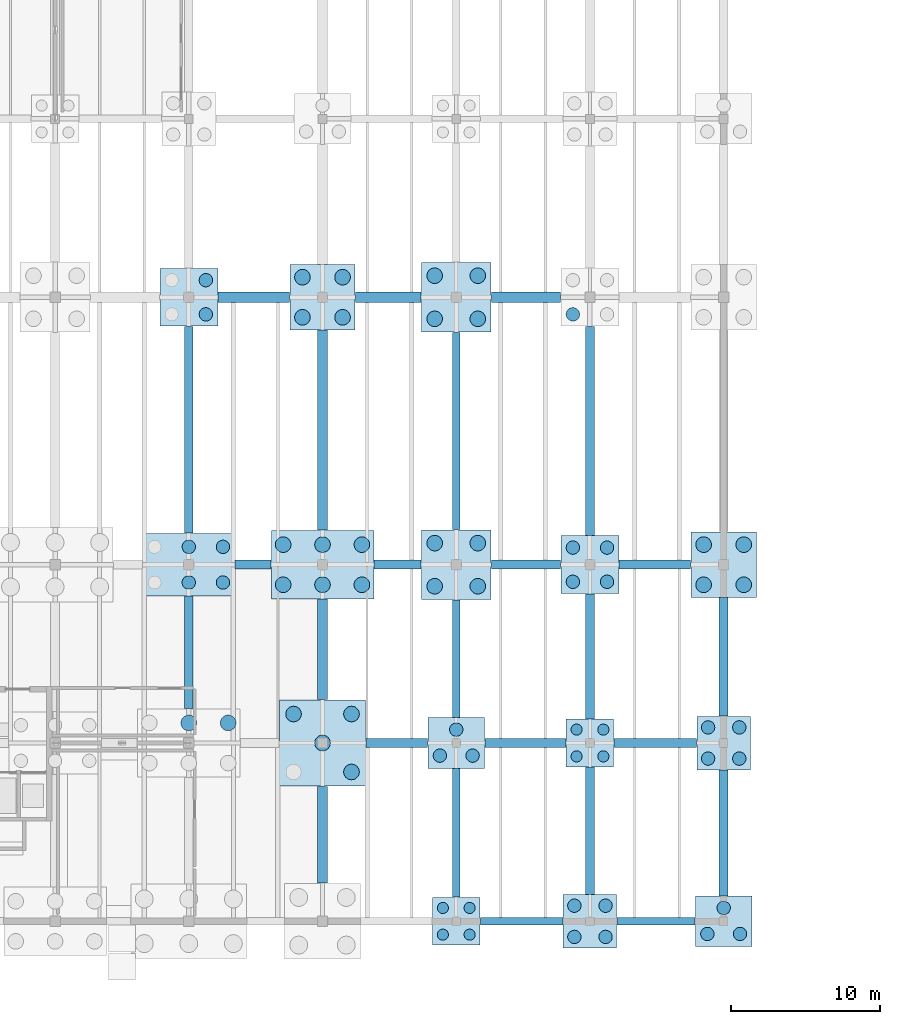
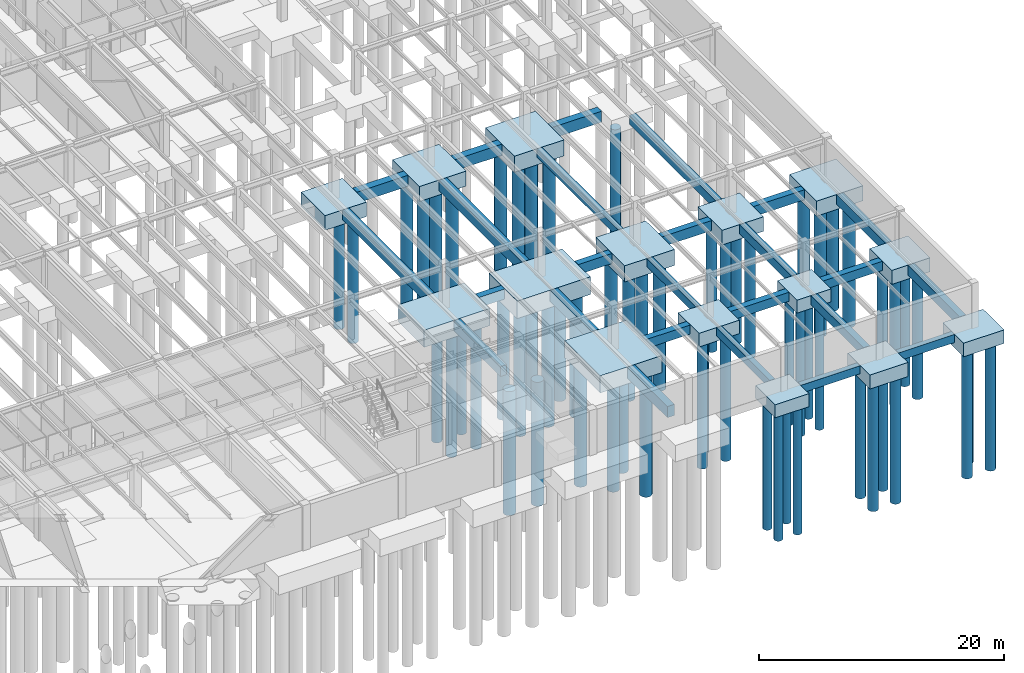
# One storey, part 10 of 40: 61 piles, 40 footings.
"""IFC4 building model written with IfcOpenShell, lengths in metres."""

from ifc_helpers import new_model, si_unit, direction, frame, origin, origin_2d, place, context, subcontext, project, spatial, polyline, rectangle, circle, outline, extrude, material, material_profile, profile_set, type_object, element, save


model = new_model("IFC4")

# Units and contexts
model_context = context("Model", 3, precision=1e-05, world=origin(), true_north=direction((0.0, 1.0)))
body_context = subcontext(model_context, "Body", "Model", "MODEL_VIEW")
ifc_project = project(units=[si_unit("LENGTHUNIT", "METRE"), si_unit("AREAUNIT", "SQUARE_METRE"), si_unit("VOLUMEUNIT", "CUBIC_METRE"), si_unit("PLANEANGLEUNIT", "RADIAN"), si_unit("MASSUNIT", "GRAM", prefix="KILO")], contexts=[model_context])

# Site, building, storey
site_placement = place(None, origin())
site = spatial("IfcSite", under=ifc_project, at=site_placement, CompositionType="ELEMENT")
building_placement = place(site_placement, origin())
building = spatial("IfcBuilding", under=site, at=building_placement, Name="Montelvaro Courts of Justice", CompositionType="ELEMENT")
storey_placement = place(building_placement, frame((0.0, 0.0, -4.5)))
storey = spatial("IfcBuildingStorey", under=building, at=storey_placement, Name="B01", CompositionType="ELEMENT", Elevation=-4.5)

# Piles
ifc_material = material(Name="Concrete C35/45", Category="concrete")
ifc_material_profile_1 = material_profile(ifc_material, circle(Radius=0.52490234375, at=origin_2d()), Name="BORED PILE D1050")
ifc_profile_set_1 = profile_set([ifc_material_profile_1], Name="Concrete C35/45")
pile_type_1 = type_object("IfcPileType", Name="BoredPile_1050", PredefinedType="BORED", material=ifc_profile_set_1)
for number, where, z_axis, x_axis, name in (
    (1, (126.0, 13.35009765625, -1.64990234375), (0.0, 0.0, -1.0), (1.0, 0.0, 0.0), "Bored Pile BP-03 15/B-5"),
    (2, (128.64990234375, 13.35009765625, -1.64990234375), (0.0, 0.0, -1.0), (1.0, 0.0, 0.0), "Bored Pile BP-03 15/B-6"),
):
    element("IfcPile", number, at=place(storey_placement, frame(where, z_axis=z_axis, x_axis=x_axis)), inside=storey, type_object=pile_type_1, Name=name, PredefinedType="BORED", context=body_context, shape_type="SweptSolid", body=[
        extrude(circle(Radius=0.52490234375, at=origin_2d()), origin(), (0.0, 0.0, 1.0), 12.35009765625),
    ])
for number, where, z_axis, x_axis, name in (
    (3, (136.949951171875, 10.050048828125, -1.60009765625), (0.0, 0.0, -1.0), (1.0, 0.0, 0.0), "Bored Pile BP-03 16/B-2"),
    (4, (135.0, 12.0, -1.60009765625), (0.0, 0.0, -1.0), (1.0, 0.0, 0.0), "Bored Pile BP-03 16/B-3"),
    (5, (133.050048828125, 13.949951171875, -1.60009765625), (0.0, 0.0, -1.0), (1.0, 0.0, 0.0), "Bored Pile BP-03 16/B-4"),
    (6, (136.949951171875, 13.949951171875, -1.60009765625), (0.0, 0.0, -1.0), (1.0, 0.0, 0.0), "Bored Pile BP-03 16/B-5"),
):
    element("IfcPile", number, at=place(storey_placement, frame(where, z_axis=z_axis, x_axis=x_axis)), inside=storey, type_object=pile_type_1, Name=name, PredefinedType="BORED", context=body_context, shape_type="SweptSolid", body=[
        extrude(circle(Radius=0.52490234375, at=origin_2d()), origin(), (0.0, 0.0, 1.0), 12.39990234375),
    ])
for number, where, z_axis, x_axis, name in (
    (7, (132.35009765625, 22.64990234375, -1.64990234375), (0.0, 0.0, -1.0), (1.0, 0.0, 0.0), "Bored Pile BP-03 16/C-1"),
    (8, (135.0, 22.64990234375, -1.64990234375), (0.0, 0.0, -1.0), (1.0, 0.0, 0.0), "Bored Pile BP-03 16/C-2"),
    (9, (137.64990234375, 22.64990234375, -1.64990234375), (0.0, 0.0, -1.0), (1.0, 0.0, 0.0), "Bored Pile BP-03 16/C-3"),
    (10, (132.35009765625, 25.35009765625, -1.64990234375), (0.0, 0.0, -1.0), (1.0, 0.0, 0.0), "Bored Pile BP-03 16/C-4"),
    (11, (135.0, 25.35009765625, -1.64990234375), (0.0, 0.0, -1.0), (1.0, 0.0, 0.0), "Bored Pile BP-03 16/C-5"),
    (12, (137.64990234375, 25.35009765625, -1.64990234375), (0.0, 0.0, -1.0), (1.0, 0.0, 0.0), "Bored Pile BP-03 16/C-6"),
):
    element("IfcPile", number, at=place(storey_placement, frame(where, z_axis=z_axis, x_axis=x_axis)), inside=storey, type_object=pile_type_1, Name=name, PredefinedType="BORED", context=body_context, shape_type="SweptSolid", body=[
        extrude(circle(Radius=0.52490234375, at=origin_2d()), origin(), (0.0, 0.0, 1.0), 12.35009765625),
    ])
for number, where, z_axis, x_axis, name in (
    (13, (133.64990234375, 40.64990234375, -1.39990234375), (0.0, 0.0, -1.0), (1.0, 0.0, 0.0), "Bored Pile BP-03 16/D-1"),
    (14, (136.35009765625, 40.64990234375, -1.39990234375), (0.0, 0.0, -1.0), (1.0, 0.0, 0.0), "Bored Pile BP-03 16/D-2"),
    (15, (133.64990234375, 43.35009765625, -1.39990234375), (0.0, 0.0, -1.0), (1.0, 0.0, 0.0), "Bored Pile BP-03 16/D-3"),
    (16, (136.35009765625, 43.35009765625, -1.39990234375), (0.0, 0.0, -1.0), (1.0, 0.0, 0.0), "Bored Pile BP-03 16/D-4"),
):
    element("IfcPile", number, at=place(storey_placement, frame(where, z_axis=z_axis, x_axis=x_axis)), inside=storey, type_object=pile_type_1, Name=name, PredefinedType="BORED", context=body_context, shape_type="SweptSolid", body=[
        extrude(circle(Radius=0.52490234375, at=origin_2d()), origin(), (0.0, 0.0, 1.0), 12.60009765625),
    ])
for number, where, z_axis, x_axis, name in (
    (17, (142.550048828125, 22.550048828125, -1.5), (0.0, 0.0, -1.0), (1.0, 0.0, 0.0), "Bored Pile BP-03 17/C-1"),
    (18, (145.449951171875, 22.550048828125, -1.5), (0.0, 0.0, -1.0), (1.0, 0.0, 0.0), "Bored Pile BP-03 17/C-2"),
    (19, (142.550048828125, 25.449951171875, -1.5), (0.0, 0.0, -1.0), (1.0, 0.0, 0.0), "Bored Pile BP-03 17/C-3"),
    (20, (145.449951171875, 25.449951171875, -1.5), (0.0, 0.0, -1.0), (1.0, 0.0, 0.0), "Bored Pile BP-03 17/C-4"),
    (21, (142.550048828125, 40.550048828125, -1.5), (0.0, 0.0, -1.0), (1.0, 0.0, 0.0), "Bored Pile BP-03 17/D-1"),
    (22, (145.449951171875, 40.550048828125, -1.5), (0.0, 0.0, -1.0), (1.0, 0.0, 0.0), "Bored Pile BP-03 17/D-2"),
    (23, (142.550048828125, 43.449951171875, -1.5), (0.0, 0.0, -1.0), (1.0, 0.0, 0.0), "Bored Pile BP-03 17/D-3"),
    (24, (145.449951171875, 43.449951171875, -1.5), (0.0, 0.0, -1.0), (1.0, 0.0, 0.0), "Bored Pile BP-03 17/D-4"),
):
    element("IfcPile", number, at=place(storey_placement, frame(where, z_axis=z_axis, x_axis=x_axis)), inside=storey, type_object=pile_type_1, Name=name, PredefinedType="BORED", context=body_context, shape_type="SweptSolid", body=[
        extrude(circle(Radius=0.52490234375, at=origin_2d()), origin(), (0.0, 0.0, 1.0), 12.5),
    ])
for number, where, z_axis, x_axis, name in (
    (25, (160.64990234375, 22.64990234375, -1.39990234375), (0.0, 0.0, -1.0), (1.0, 0.0, 0.0), "Bored Pile BP-03 19/C-1"),
    (26, (163.35009765625, 22.64990234375, -1.39990234375), (0.0, 0.0, -1.0), (1.0, 0.0, 0.0), "Bored Pile BP-03 19/C-2"),
    (27, (160.64990234375, 25.35009765625, -1.39990234375), (0.0, 0.0, -1.0), (1.0, 0.0, 0.0), "Bored Pile BP-03 19/C-3"),
    (28, (163.35009765625, 25.35009765625, -1.39990234375), (0.0, 0.0, -1.0), (1.0, 0.0, 0.0), "Bored Pile BP-03 19/C-4"),
):
    element("IfcPile", number, at=place(storey_placement, frame(where, z_axis=z_axis, x_axis=x_axis)), inside=storey, type_object=pile_type_1, Name=name, PredefinedType="BORED", context=body_context, shape_type="SweptSolid", body=[
        extrude(circle(Radius=0.52490234375, at=origin_2d()), origin(), (0.0, 0.0, 1.0), 12.60009765625),
    ])
ifc_material_profile_2 = material_profile(ifc_material, circle(Radius=0.375, at=origin_2d()), Name="BORED PILE D750")
ifc_profile_set_2 = profile_set([ifc_material_profile_2], Name="Concrete C35/45")
pile_type_2 = type_object("IfcPileType", Name="BoredPile_750", PredefinedType="BORED", material=ifc_profile_set_2)
for number, where, z_axis, x_axis, name in (
    (29, (143.10009765625, -0.89990234375, -1.199951171875), (0.0, 0.0, -1.0), (1.0, 0.0, 0.0), "Bored Pile BP-01 17/A-1"),
    (30, (144.89990234375, -0.89990234375, -1.199951171875), (0.0, 0.0, -1.0), (1.0, 0.0, 0.0), "Bored Pile BP-01 17/A-2"),
    (31, (143.10009765625, 0.89990234375, -1.199951171875), (0.0, 0.0, -1.0), (1.0, 0.0, 0.0), "Bored Pile BP-01 17/A-3"),
    (32, (144.89990234375, 0.89990234375, -1.199951171875), (0.0, 0.0, -1.0), (1.0, 0.0, 0.0), "Bored Pile BP-01 17/A-4"),
    (33, (152.10009765625, 11.10009765625, -1.199951171875), (0.0, 0.0, -1.0), (1.0, 0.0, 0.0), "Bored Pile BP-01 18/B-1"),
    (34, (153.89990234375, 11.10009765625, -1.199951171875), (0.0, 0.0, -1.0), (1.0, 0.0, 0.0), "Bored Pile BP-01 18/B-2"),
    (35, (152.10009765625, 12.89990234375, -1.199951171875), (0.0, 0.0, -1.0), (1.0, 0.0, 0.0), "Bored Pile BP-01 18/B-3"),
    (36, (153.89990234375, 12.89990234375, -1.199951171875), (0.0, 0.0, -1.0), (1.0, 0.0, 0.0), "Bored Pile BP-01 18/B-4"),
):
    element("IfcPile", number, at=place(storey_placement, frame(where, z_axis=z_axis, x_axis=x_axis)), inside=storey, type_object=pile_type_2, Name=name, PredefinedType="BORED", context=body_context, shape_type="SweptSolid", body=[
        extrude(circle(Radius=0.375, at=origin_2d()), origin(), (0.0, 0.0, 1.0), 12.800048828125),
    ])
ifc_material_profile_3 = material_profile(ifc_material, circle(Radius=0.449951171875, at=origin_2d()), Name="BORED PILE D900")
ifc_profile_set_3 = profile_set([ifc_material_profile_3], Name="Concrete C35/45")
pile_type_3 = type_object("IfcPileType", Name="BoredPile_900", PredefinedType="BORED", material=ifc_profile_set_3)
for number, where, z_axis, x_axis, name in (
    (37, (126.0, 22.800048828125, -1.60009765625), (0.0, 0.0, -1.0), (1.0, 0.0, 0.0), "Bored Pile BP-02 15/C-2"),
    (38, (128.300048828125, 22.800048828125, -1.60009765625), (0.0, 0.0, -1.0), (1.0, 0.0, 0.0), "Bored Pile BP-02 15/C-3"),
    (39, (126.0, 25.199951171875, -1.60009765625), (0.0, 0.0, -1.0), (1.0, 0.0, 0.0), "Bored Pile BP-02 15/C-5"),
    (40, (128.300048828125, 25.199951171875, -1.60009765625), (0.0, 0.0, -1.0), (1.0, 0.0, 0.0), "Bored Pile BP-02 15/C-6"),
):
    element("IfcPile", number, at=place(storey_placement, frame(where, z_axis=z_axis, x_axis=x_axis)), inside=storey, type_object=pile_type_3, Name=name, PredefinedType="BORED", context=body_context, shape_type="SweptSolid", body=[
        extrude(circle(Radius=0.449951171875, at=origin_2d()), origin(), (0.0, 0.0, 1.0), 12.39990234375),
    ])
for number, where, z_axis, x_axis, name in (
    (41, (127.14990234375, 40.85009765625, -1.35009765625), (0.0, 0.0, -1.0), (1.0, 0.0, 0.0), "Bored Pile BP-02 15/D-2"),
    (42, (127.14990234375, 43.14990234375, -1.35009765625), (0.0, 0.0, -1.0), (1.0, 0.0, 0.0), "Bored Pile BP-02 15/D-4"),
):
    element("IfcPile", number, at=place(storey_placement, frame(where, z_axis=z_axis, x_axis=x_axis)), inside=storey, type_object=pile_type_3, Name=name, PredefinedType="BORED", context=body_context, shape_type="SweptSolid", body=[
        extrude(circle(Radius=0.449951171875, at=origin_2d()), origin(), (0.0, 0.0, 1.0), 12.64990234375),
    ])
for number, where, z_axis, x_axis, name in (
    (43, (142.89990234375, 11.14990234375, -1.25), (0.0, 0.0, -1.0), (1.0, 0.0, 0.0), "Bored Pile BP-02 17/B-1"),
    (44, (145.10009765625, 11.14990234375, -1.25), (0.0, 0.0, -1.0), (1.0, 0.0, 0.0), "Bored Pile BP-02 17/B-2"),
    (45, (144.0, 12.89990234375, -1.25), (0.0, 0.0, -1.0), (1.0, 0.0, 0.0), "Bored Pile BP-02 17/B-3"),
):
    element("IfcPile", number, at=place(storey_placement, frame(where, z_axis=z_axis, x_axis=x_axis)), inside=storey, type_object=pile_type_3, Name=name, PredefinedType="BORED", context=body_context, shape_type="SweptSolid", body=[
        extrude(circle(Radius=0.449951171875, at=origin_2d()), origin(), (0.0, 0.0, 1.0), 12.75),
    ])
for number, where, z_axis, x_axis, name in (
    (46, (151.949951171875, -1.050048828125, -1.300048828125), (0.0, 0.0, -1.0), (1.0, 0.0, 0.0), "Bored Pile BP-02 18/A-1"),
    (47, (154.050048828125, -1.050048828125, -1.300048828125), (0.0, 0.0, -1.0), (1.0, 0.0, 0.0), "Bored Pile BP-02 18/A-2"),
    (48, (151.949951171875, 1.050048828125, -1.300048828125), (0.0, 0.0, -1.0), (1.0, 0.0, 0.0), "Bored Pile BP-02 18/A-3"),
    (49, (154.050048828125, 1.050048828125, -1.300048828125), (0.0, 0.0, -1.0), (1.0, 0.0, 0.0), "Bored Pile BP-02 18/A-4"),
):
    element("IfcPile", number, at=place(storey_placement, frame(where, z_axis=z_axis, x_axis=x_axis)), inside=storey, type_object=pile_type_3, Name=name, PredefinedType="BORED", context=body_context, shape_type="SweptSolid", body=[
        extrude(circle(Radius=0.449951171875, at=origin_2d()), origin(), (0.0, 0.0, 1.0), 12.699951171875),
    ])
for number, where, z_axis, x_axis, name in (
    (50, (151.85009765625, 22.85009765625, -1.35009765625), (0.0, 0.0, -1.0), (1.0, 0.0, 0.0), "Bored Pile BP-02 18/C-1"),
    (51, (154.14990234375, 22.85009765625, -1.35009765625), (0.0, 0.0, -1.0), (1.0, 0.0, 0.0), "Bored Pile BP-02 18/C-2"),
    (52, (151.85009765625, 25.14990234375, -1.35009765625), (0.0, 0.0, -1.0), (1.0, 0.0, 0.0), "Bored Pile BP-02 18/C-3"),
    (53, (154.14990234375, 25.14990234375, -1.35009765625), (0.0, 0.0, -1.0), (1.0, 0.0, 0.0), "Bored Pile BP-02 18/C-4"),
    (54, (151.85009765625, 40.85009765625, -1.35009765625), (0.0, 0.0, -1.0), (1.0, 0.0, 0.0), "Bored Pile BP-02 18/D-1"),
):
    element("IfcPile", number, at=place(storey_placement, frame(where, z_axis=z_axis, x_axis=x_axis)), inside=storey, type_object=pile_type_3, Name=name, PredefinedType="BORED", context=body_context, shape_type="SweptSolid", body=[
        extrude(circle(Radius=0.449951171875, at=origin_2d()), origin(), (0.0, 0.0, 1.0), 12.64990234375),
    ])
for number, where, z_axis, x_axis, name in (
    (55, (160.89990234375, -0.85009765625, -1.25), (0.0, 0.0, -1.0), (1.0, 0.0, 0.0), "Bored Pile BP-02 19/A-1"),
    (56, (163.10009765625, -0.85009765625, -1.25), (0.0, 0.0, -1.0), (1.0, 0.0, 0.0), "Bored Pile BP-02 19/A-2"),
    (57, (162.0, 0.89990234375, -1.25), (0.0, 0.0, -1.0), (1.0, 0.0, 0.0), "Bored Pile BP-02 19/A-3"),
):
    element("IfcPile", number, at=place(storey_placement, frame(where, z_axis=z_axis, x_axis=x_axis)), inside=storey, type_object=pile_type_3, Name=name, PredefinedType="BORED", context=body_context, shape_type="SweptSolid", body=[
        extrude(circle(Radius=0.449951171875, at=origin_2d()), origin(), (0.0, 0.0, 1.0), 12.75),
    ])
for number, where, z_axis, x_axis, name in (
    (58, (160.949951171875, 10.949951171875, -1.300048828125), (0.0, 0.0, -1.0), (1.0, 0.0, 0.0), "Bored Pile BP-02 19/B-1"),
    (59, (163.050048828125, 10.949951171875, -1.300048828125), (0.0, 0.0, -1.0), (1.0, 0.0, 0.0), "Bored Pile BP-02 19/B-2"),
    (60, (160.949951171875, 13.050048828125, -1.300048828125), (0.0, 0.0, -1.0), (1.0, 0.0, 0.0), "Bored Pile BP-02 19/B-3"),
    (61, (163.050048828125, 13.050048828125, -1.300048828125), (0.0, 0.0, -1.0), (1.0, 0.0, 0.0), "Bored Pile BP-02 19/B-4"),
):
    element("IfcPile", number, at=place(storey_placement, frame(where, z_axis=z_axis, x_axis=x_axis)), inside=storey, type_object=pile_type_3, Name=name, PredefinedType="BORED", context=body_context, shape_type="SweptSolid", body=[
        extrude(circle(Radius=0.449951171875, at=origin_2d()), origin(), (0.0, 0.0, 1.0), 12.699951171875),
    ])

# Footings
footing_type_1 = type_object("IfcFootingType", Name="GroundBeam_500x800", PredefinedType="FOOTING_BEAM", material=ifc_material)
footing_1_placement = place(storey_placement, frame((0.0, 0.0, -0.800048828125)))
element("IfcFooting", 62, at=footing_1_placement, inside=storey, type_object=footing_type_1, Name="Foundation Ground Beam GB-01", PredefinedType="FOOTING_BEAM", context=body_context, shape_type="SweptSolid", body=[
    extrude(outline(polyline([(145.6201171875, -0.25), (151.179931640625, -0.25), (151.179931640625, 0.25), (145.6201171875, 0.25), (145.6201171875, -0.25)])), origin(), (0.0, 0.0, 1.0), 0.800048828125),
])
footing_2_placement = place(storey_placement, frame((0.0, 0.0, -0.800048828125)))
element("IfcFooting", 63, at=footing_2_placement, inside=storey, type_object=footing_type_1, Name="Foundation Ground Beam GB-01", PredefinedType="FOOTING_BEAM", context=body_context, shape_type="SweptSolid", body=[
    extrude(outline(polyline([(154.820068359375, -0.25), (160.080078125, -0.25), (160.080078125, 0.25), (154.820068359375, 0.25), (154.820068359375, -0.25)])), origin(), (0.0, 0.0, 1.0), 0.800048828125),
])
footing_3_placement = place(storey_placement, frame((0.0, 0.0, -0.800048828125)))
element("IfcFooting", 64, at=footing_3_placement, inside=storey, type_object=footing_type_1, Name="Foundation Ground Beam GB-01", PredefinedType="FOOTING_BEAM", context=body_context, shape_type="SweptSolid", body=[
    extrude(outline(polyline([(143.75, 1.6201171875), (144.25, 1.6201171875), (144.25, 10.280029296875), (143.75, 10.280029296875), (143.75, 1.6201171875)])), origin(), (0.0, 0.0, 1.0), 0.800048828125),
])
footing_4_placement = place(storey_placement, frame((0.0, 0.0, -0.800048828125)))
element("IfcFooting", 65, at=footing_4_placement, inside=storey, type_object=footing_type_1, Name="Foundation Ground Beam GB-01", PredefinedType="FOOTING_BEAM", context=body_context, shape_type="SweptSolid", body=[
    extrude(outline(polyline([(143.75, 13.719970703125), (144.25, 13.719970703125), (144.25, 21.6298828125), (143.75, 21.6298828125), (143.75, 13.719970703125)])), origin(), (0.0, 0.0, 1.0), 0.800048828125),
])
footing_5_placement = place(storey_placement, frame((0.0, 0.0, -0.800048828125)))
element("IfcFooting", 66, at=footing_5_placement, inside=storey, type_object=footing_type_1, Name="Foundation Ground Beam GB-01", PredefinedType="FOOTING_BEAM", context=body_context, shape_type="SweptSolid", body=[
    extrude(outline(polyline([(143.75, 26.3701171875), (144.25, 26.3701171875), (144.25, 39.6298828125), (143.75, 39.6298828125), (143.75, 26.3701171875)])), origin(), (0.0, 0.0, 1.0), 0.800048828125),
])
footing_type_2 = type_object("IfcFootingType", Name="GroundBeam_600x1000", PredefinedType="FOOTING_BEAM", material=ifc_material)
footing_6_placement = place(storey_placement, frame((0.0, 0.0, -1.0)))
element("IfcFooting", 67, at=footing_6_placement, inside=storey, type_object=footing_type_2, Name="Foundation Ground Beam GB-03", PredefinedType="FOOTING_BEAM", context=body_context, shape_type="SweptSolid", body=[
    extrude(outline(polyline([(129.1201171875, 23.699951171875), (131.530029296875, 23.699951171875), (131.530029296875, 24.300048828125), (129.1201171875, 24.300048828125), (129.1201171875, 23.699951171875)])), origin(), (0.0, 0.0, 1.0), 1.0),
])
footing_7_placement = place(storey_placement, frame((0.0, 0.0, -1.0)))
element("IfcFooting", 68, at=footing_7_placement, inside=storey, type_object=footing_type_2, Name="Foundation Ground Beam GB-03", PredefinedType="FOOTING_BEAM", context=body_context, shape_type="SweptSolid", body=[
    extrude(outline(polyline([(138.469970703125, 23.699951171875), (141.6298828125, 23.699951171875), (141.6298828125, 24.300048828125), (138.469970703125, 24.300048828125), (138.469970703125, 23.699951171875)])), origin(), (0.0, 0.0, 1.0), 1.0),
])
footing_8_placement = place(storey_placement, frame((0.0, 0.0, -1.0)))
element("IfcFooting", 69, at=footing_8_placement, inside=storey, type_object=footing_type_2, Name="Foundation Ground Beam GB-03", PredefinedType="FOOTING_BEAM", context=body_context, shape_type="SweptSolid", body=[
    extrude(outline(polyline([(146.3701171875, 23.699951171875), (151.030029296875, 23.699951171875), (151.030029296875, 24.300048828125), (146.3701171875, 24.300048828125), (146.3701171875, 23.699951171875)])), origin(), (0.0, 0.0, 1.0), 1.0),
])
footing_9_placement = place(storey_placement, frame((0.0, 0.0, -1.0)))
element("IfcFooting", 70, at=footing_9_placement, inside=storey, type_object=footing_type_2, Name="Foundation Ground Beam GB-03", PredefinedType="FOOTING_BEAM", context=body_context, shape_type="SweptSolid", body=[
    extrude(outline(polyline([(154.969970703125, 23.699951171875), (159.780029296875, 23.699951171875), (159.780029296875, 24.300048828125), (154.969970703125, 24.300048828125), (154.969970703125, 23.699951171875)])), origin(), (0.0, 0.0, 1.0), 1.0),
])
footing_10_placement = place(storey_placement, frame((0.0, 0.0, -1.0)))
element("IfcFooting", 71, at=footing_10_placement, inside=storey, type_object=footing_type_2, Name="Foundation Ground Beam GB-03", PredefinedType="FOOTING_BEAM", context=body_context, shape_type="SweptSolid", body=[
    extrude(outline(polyline([(125.699951171875, 14.320068359375), (126.300048828125, 14.320068359375), (126.300048828125, 21.8798828125), (125.699951171875, 21.8798828125), (125.699951171875, 14.320068359375)])), origin(), (0.0, 0.0, 1.0), 1.0),
])
footing_11_placement = place(storey_placement, frame((0.0, 0.0, -1.0)))
element("IfcFooting", 72, at=footing_11_placement, inside=storey, type_object=footing_type_2, Name="Foundation Ground Beam GB-03", PredefinedType="FOOTING_BEAM", context=body_context, shape_type="SweptSolid", body=[
    extrude(outline(polyline([(125.699951171875, 26.1201171875), (126.300048828125, 26.1201171875), (126.300048828125, 40.030029296875), (125.699951171875, 40.030029296875), (125.699951171875, 26.1201171875)])), origin(), (0.0, 0.0, 1.0), 1.0),
])
footing_12_placement = place(storey_placement, frame((0.0, 0.0, -1.0)))
element("IfcFooting", 73, at=footing_12_placement, inside=storey, type_object=footing_type_2, Name="Foundation Ground Beam GB-03", PredefinedType="FOOTING_BEAM", context=body_context, shape_type="SweptSolid", body=[
    extrude(outline(polyline([(161.699951171875, 1.719970703125), (162.300048828125, 1.719970703125), (162.300048828125, 10.179931640625), (161.699951171875, 10.179931640625), (161.699951171875, 1.719970703125)])), origin(), (0.0, 0.0, 1.0), 1.0),
])
footing_13_placement = place(storey_placement, frame((0.0, 0.0, -1.0)))
element("IfcFooting", 74, at=footing_13_placement, inside=storey, type_object=footing_type_2, Name="Foundation Ground Beam GB-03", PredefinedType="FOOTING_BEAM", context=body_context, shape_type="SweptSolid", body=[
    extrude(outline(polyline([(161.699951171875, 13.820068359375), (162.300048828125, 13.820068359375), (162.300048828125, 21.780029296875), (161.699951171875, 21.780029296875), (161.699951171875, 13.820068359375)])), origin(), (0.0, 0.0, 1.0), 1.0),
])
footing_type_3 = type_object("IfcFootingType", Name="GroundBeam_600x900", PredefinedType="FOOTING_BEAM", material=ifc_material)
footing_14_placement = place(storey_placement, frame((0.0, 0.0, -0.89990234375)))
element("IfcFooting", 75, at=footing_14_placement, inside=storey, type_object=footing_type_3, Name="Foundation Ground Beam GB-02", PredefinedType="FOOTING_BEAM", context=body_context, shape_type="SweptSolid", body=[
    extrude(outline(polyline([(137.919921875, 11.699951171875), (142.080078125, 11.699951171875), (142.080078125, 12.300048828125), (137.919921875, 12.300048828125), (137.919921875, 11.699951171875)])), origin(), (0.0, 0.0, 1.0), 0.89990234375),
])
footing_15_placement = place(storey_placement, frame((0.0, 0.0, -0.89990234375)))
element("IfcFooting", 76, at=footing_15_placement, inside=storey, type_object=footing_type_3, Name="Foundation Ground Beam GB-02", PredefinedType="FOOTING_BEAM", context=body_context, shape_type="SweptSolid", body=[
    extrude(outline(polyline([(145.919921875, 11.699951171875), (151.3798828125, 11.699951171875), (151.3798828125, 12.300048828125), (145.919921875, 12.300048828125), (145.919921875, 11.699951171875)])), origin(), (0.0, 0.0, 1.0), 0.89990234375),
])
footing_16_placement = place(storey_placement, frame((0.0, 0.0, -0.89990234375)))
element("IfcFooting", 77, at=footing_16_placement, inside=storey, type_object=footing_type_3, Name="Foundation Ground Beam GB-02", PredefinedType="FOOTING_BEAM", context=body_context, shape_type="SweptSolid", body=[
    extrude(outline(polyline([(154.6201171875, 11.699951171875), (160.179931640625, 11.699951171875), (160.179931640625, 12.300048828125), (154.6201171875, 12.300048828125), (154.6201171875, 11.699951171875)])), origin(), (0.0, 0.0, 1.0), 0.89990234375),
])
footing_17_placement = place(storey_placement, frame((0.0, 0.0, -0.89990234375)))
element("IfcFooting", 78, at=footing_17_placement, inside=storey, type_object=footing_type_3, Name="Foundation Ground Beam GB-02", PredefinedType="FOOTING_BEAM", context=body_context, shape_type="SweptSolid", body=[
    extrude(outline(polyline([(152.699951171875, 1.820068359375), (153.300048828125, 1.820068359375), (153.300048828125, 10.3798828125), (152.699951171875, 10.3798828125), (152.699951171875, 1.820068359375)])), origin(), (0.0, 0.0, 1.0), 0.89990234375),
])
footing_18_placement = place(storey_placement, frame((0.0, 0.0, -0.89990234375)))
element("IfcFooting", 79, at=footing_18_placement, inside=storey, type_object=footing_type_3, Name="Foundation Ground Beam GB-02", PredefinedType="FOOTING_BEAM", context=body_context, shape_type="SweptSolid", body=[
    extrude(outline(polyline([(152.699951171875, 13.6201171875), (153.300048828125, 13.6201171875), (153.300048828125, 22.030029296875), (152.699951171875, 22.030029296875), (152.699951171875, 13.6201171875)])), origin(), (0.0, 0.0, 1.0), 0.89990234375),
])
footing_19_placement = place(storey_placement, frame((0.0, 0.0, -0.89990234375)))
element("IfcFooting", 80, at=footing_19_placement, inside=storey, type_object=footing_type_3, Name="Foundation Ground Beam GB-02", PredefinedType="FOOTING_BEAM", context=body_context, shape_type="SweptSolid", body=[
    extrude(outline(polyline([(152.699951171875, 25.969970703125), (153.300048828125, 25.969970703125), (153.300048828125, 40.030029296875), (152.699951171875, 40.030029296875), (152.699951171875, 25.969970703125)])), origin(), (0.0, 0.0, 1.0), 0.89990234375),
])
footing_type_4 = type_object("IfcFootingType", Name="GroundBeam_700x1100", PredefinedType="FOOTING_BEAM", material=ifc_material)
footing_20_placement = place(storey_placement, frame((0.0, 0.0, -1.10009765625)))
element("IfcFooting", 81, at=footing_20_placement, inside=storey, type_object=footing_type_4, Name="Foundation Ground Beam GB-04", PredefinedType="FOOTING_BEAM", context=body_context, shape_type="SweptSolid", body=[
    extrude(outline(polyline([(127.969970703125, 41.64990234375), (132.780029296875, 41.64990234375), (132.780029296875, 42.35009765625), (127.969970703125, 42.35009765625), (127.969970703125, 41.64990234375)])), origin(), (0.0, 0.0, 1.0), 1.10009765625),
])
footing_21_placement = place(storey_placement, frame((0.0, 0.0, -1.10009765625)))
element("IfcFooting", 82, at=footing_21_placement, inside=storey, type_object=footing_type_4, Name="Foundation Ground Beam GB-04", PredefinedType="FOOTING_BEAM", context=body_context, shape_type="SweptSolid", body=[
    extrude(outline(polyline([(137.219970703125, 41.64990234375), (141.6298828125, 41.64990234375), (141.6298828125, 42.35009765625), (137.219970703125, 42.35009765625), (137.219970703125, 41.64990234375)])), origin(), (0.0, 0.0, 1.0), 1.10009765625),
])
footing_22_placement = place(storey_placement, frame((0.0, 0.0, -1.10009765625)))
element("IfcFooting", 83, at=footing_22_placement, inside=storey, type_object=footing_type_4, Name="Foundation Ground Beam GB-04", PredefinedType="FOOTING_BEAM", context=body_context, shape_type="SweptSolid", body=[
    extrude(outline(polyline([(146.3701171875, 41.64990234375), (151.030029296875, 41.64990234375), (151.030029296875, 42.35009765625), (146.3701171875, 42.35009765625), (146.3701171875, 41.64990234375)])), origin(), (0.0, 0.0, 1.0), 1.10009765625),
])
footing_23_placement = place(storey_placement, frame((0.0, 0.0, -1.10009765625)))
element("IfcFooting", 84, at=footing_23_placement, inside=storey, type_object=footing_type_4, Name="Foundation Ground Beam GB-04", PredefinedType="FOOTING_BEAM", context=body_context, shape_type="SweptSolid", body=[
    extrude(outline(polyline([(134.64990234375, 2.570068359375), (135.35009765625, 2.570068359375), (135.35009765625, 9.080078125), (134.64990234375, 9.080078125), (134.64990234375, 2.570068359375)])), origin(), (0.0, 0.0, 1.0), 1.10009765625),
])
footing_24_placement = place(storey_placement, frame((0.0, 0.0, -1.10009765625)))
element("IfcFooting", 85, at=footing_24_placement, inside=storey, type_object=footing_type_4, Name="Foundation Ground Beam GB-04", PredefinedType="FOOTING_BEAM", context=body_context, shape_type="SweptSolid", body=[
    extrude(outline(polyline([(134.64990234375, 14.919921875), (135.35009765625, 14.919921875), (135.35009765625, 21.679931640625), (134.64990234375, 21.679931640625), (134.64990234375, 14.919921875)])), origin(), (0.0, 0.0, 1.0), 1.10009765625),
])
footing_25_placement = place(storey_placement, frame((0.0, 0.0, -1.10009765625)))
element("IfcFooting", 86, at=footing_25_placement, inside=storey, type_object=footing_type_4, Name="Foundation Ground Beam GB-04", PredefinedType="FOOTING_BEAM", context=body_context, shape_type="SweptSolid", body=[
    extrude(outline(polyline([(134.64990234375, 26.320068359375), (135.35009765625, 26.320068359375), (135.35009765625, 39.780029296875), (134.64990234375, 39.780029296875), (134.64990234375, 26.320068359375)])), origin(), (0.0, 0.0, 1.0), 1.10009765625),
])
footing_type_5 = type_object("IfcFootingType", Name="PileCap_3P_380x340x135", PredefinedType="PILE_CAP", material=ifc_material)
for number, where, z_axis, x_axis, name in (
    (87, (144.0, 12.0, -1.35009765625), (0.0, 0.0, 1.0), (1.0, 0.0, 0.0), "Pile Cap PC-07 at 17/B"),
    (88, (162.0, 0.0, -1.35009765625), (0.0, 0.0, 1.0), (1.0, 0.0, 0.0), "Pile Cap PC-07 at 19/A"),
):
    element("IfcFooting", number, at=place(storey_placement, frame(where, z_axis=z_axis, x_axis=x_axis)), inside=storey, type_object=footing_type_5, Name=name, PredefinedType="PILE_CAP", context=body_context, shape_type="SweptSolid", body=[
        extrude(rectangle(XDim=3.800048828125, YDim=3.39990234375, at=origin_2d()), origin(), (0.0, 0.0, 1.0), 1.35009765625),
    ])
footing_type_6 = type_object("IfcFootingType", Name="PileCap_4P_320x320x130", PredefinedType="PILE_CAP", material=ifc_material)
for number, where, z_axis, x_axis, name in (
    (89, (144.0, 0.0, -1.2998046875), (0.0, 0.0, 1.0), (1.0, 0.0, 0.0), "Pile Cap PC-08 at 17/A"),
    (90, (153.0, 12.0, -1.2998046875), (0.0, 0.0, 1.0), (1.0, 0.0, 0.0), "Pile Cap PC-08 at 18/B"),
):
    element("IfcFooting", number, at=place(storey_placement, frame(where, z_axis=z_axis, x_axis=x_axis)), inside=storey, type_object=footing_type_6, Name=name, PredefinedType="PILE_CAP", context=body_context, shape_type="SweptSolid", body=[
        extrude(rectangle(XDim=3.199951171875, YDim=3.199951171875, at=origin_2d()), origin(), (0.0, 0.0, 1.0), 1.300048828125),
    ])
footing_type_7 = type_object("IfcFootingType", Name="PileCap_4P_360x360x140", PredefinedType="PILE_CAP", material=ifc_material)
for number, where, z_axis, x_axis, name in (
    (91, (153.0, 0.0, -1.39990234375), (0.0, 0.0, 1.0), (1.0, 0.0, 0.0), "Pile Cap PC-09 at 18/A"),
    (92, (162.0, 12.0, -1.39990234375), (0.0, 0.0, 1.0), (1.0, 0.0, 0.0), "Pile Cap PC-09 at 19/B"),
):
    element("IfcFooting", number, at=place(storey_placement, frame(where, z_axis=z_axis, x_axis=x_axis)), inside=storey, type_object=footing_type_7, Name=name, PredefinedType="PILE_CAP", context=body_context, shape_type="SweptSolid", body=[
        extrude(rectangle(XDim=3.60009765625, YDim=3.60009765625, at=origin_2d()), origin(), (0.0, 0.0, 1.0), 1.39990234375),
    ])
footing_type_8 = type_object("IfcFootingType", Name="PileCap_4P_390x390x145", PredefinedType="PILE_CAP", material=ifc_material)
for number, where, z_axis, x_axis, name in (
    (93, (126.0, 42.0, -1.4501953125), (0.0, 0.0, 1.0), (1.0, 0.0, 0.0), "Pile Cap PC-10 at 15/D"),
    (94, (153.0, 24.0, -1.4501953125), (0.0, 0.0, 1.0), (1.0, 0.0, 0.0), "Pile Cap PC-10 at 18/C"),
):
    element("IfcFooting", number, at=place(storey_placement, frame(where, z_axis=z_axis, x_axis=x_axis)), inside=storey, type_object=footing_type_8, Name=name, PredefinedType="PILE_CAP", context=body_context, shape_type="SweptSolid", body=[
        extrude(rectangle(XDim=3.89990234375, YDim=3.89990234375, at=origin_2d()), origin(), (0.0, 0.0, 1.0), 1.449951171875),
    ])
footing_type_9 = type_object("IfcFootingType", Name="PileCap_4P_440x440x150", PredefinedType="PILE_CAP", material=ifc_material)
for number, where, z_axis, x_axis, name in (
    (95, (135.0, 42.0, -1.5), (0.0, 0.0, 1.0), (1.0, 0.0, 0.0), "Pile Cap PC-11 at 16/D"),
    (96, (162.0, 24.0, -1.5), (0.0, 0.0, 1.0), (1.0, 0.0, 0.0), "Pile Cap PC-11 at 19/C"),
):
    element("IfcFooting", number, at=place(storey_placement, frame(where, z_axis=z_axis, x_axis=x_axis)), inside=storey, type_object=footing_type_9, Name=name, PredefinedType="PILE_CAP", context=body_context, shape_type="SweptSolid", body=[
        extrude(rectangle(XDim=4.39990234375, YDim=4.39990234375, at=origin_2d()), origin(), (0.0, 0.0, 1.0), 1.5),
    ])
footing_type_10 = type_object("IfcFootingType", Name="PileCap_4P_470x470x160", PredefinedType="PILE_CAP", material=ifc_material)
for number, where, z_axis, x_axis, name in (
    (97, (144.0, 24.0, -1.60009765625), (0.0, 0.0, 1.0), (1.0, 0.0, 0.0), "Pile Cap PC-12 at 17/C"),
    (98, (144.0, 42.0, -1.60009765625), (0.0, 0.0, 1.0), (1.0, 0.0, 0.0), "Pile Cap PC-12 at 17/D"),
):
    element("IfcFooting", number, at=place(storey_placement, frame(where, z_axis=z_axis, x_axis=x_axis)), inside=storey, type_object=footing_type_10, Name=name, PredefinedType="PILE_CAP", context=body_context, shape_type="SweptSolid", body=[
        extrude(rectangle(XDim=4.699951171875, YDim=4.699951171875, at=origin_2d()), origin(), (0.0, 0.0, 1.0), 1.60009765625),
    ])
footing_type_11 = type_object("IfcFootingType", Name="PileCap_5P_580x580x170", PredefinedType="PILE_CAP", material=ifc_material)
footing_26_placement = place(storey_placement, frame((135.0, 12.0, -1.7001953125), z_axis=(0.0, 0.0, 1.0), x_axis=(1.0, 0.0, 0.0)))
element("IfcFooting", 99, at=footing_26_placement, inside=storey, type_object=footing_type_11, Name="Pile Cap PC-15 at 16/B", PredefinedType="PILE_CAP", context=body_context, shape_type="SweptSolid", body=[
    extrude(rectangle(XDim=5.800048828125, YDim=5.800048828125, at=origin_2d()), origin(), (0.0, 0.0, 1.0), 1.699951171875),
])
footing_type_12 = type_object("IfcFootingType", Name="PileCap_6P_620x420x170", PredefinedType="PILE_CAP", material=ifc_material)
footing_27_placement = place(storey_placement, frame((126.0, 24.0, -1.7001953125), z_axis=(0.0, 0.0, 1.0), x_axis=(1.0, 0.0, 0.0)))
element("IfcFooting", 100, at=footing_27_placement, inside=storey, type_object=footing_type_12, Name="Pile Cap PC-16 at 15/C", PredefinedType="PILE_CAP", context=body_context, shape_type="SweptSolid", body=[
    extrude(rectangle(XDim=6.199951171875, YDim=4.199951171875, at=origin_2d()), origin(), (0.0, 0.0, 1.0), 1.699951171875),
])
footing_type_13 = type_object("IfcFootingType", Name="PileCap_6P_690x460x175", PredefinedType="PILE_CAP", material=ifc_material)
footing_28_placement = place(storey_placement, frame((135.0, 24.0, -1.75), z_axis=(0.0, 0.0, 1.0), x_axis=(1.0, 0.0, 0.0)))
element("IfcFooting", 101, at=footing_28_placement, inside=storey, type_object=footing_type_13, Name="Pile Cap PC-17 at 16/C", PredefinedType="PILE_CAP", context=body_context, shape_type="SweptSolid", body=[
    extrude(rectangle(XDim=6.89990234375, YDim=4.60009765625, at=origin_2d()), origin(), (0.0, 0.0, 1.0), 1.75),
])

save(model, "model.ifc")
